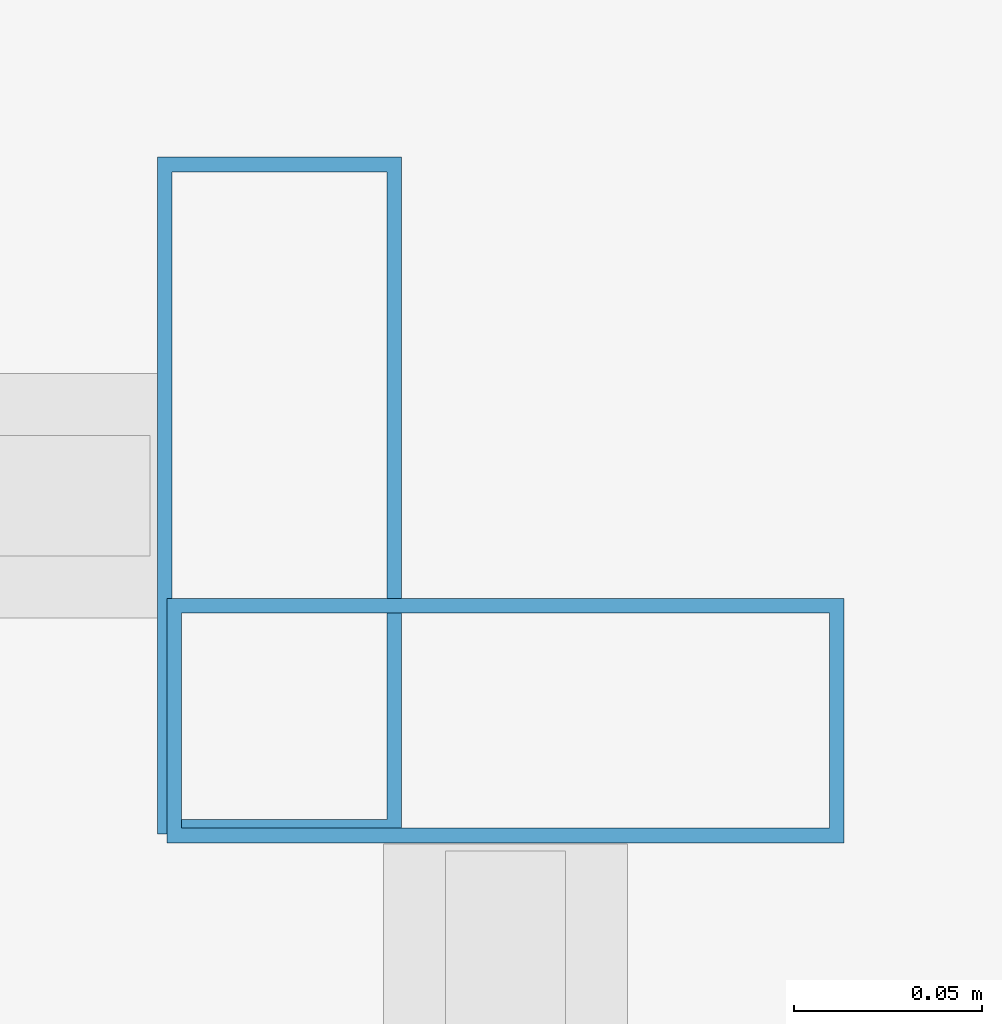
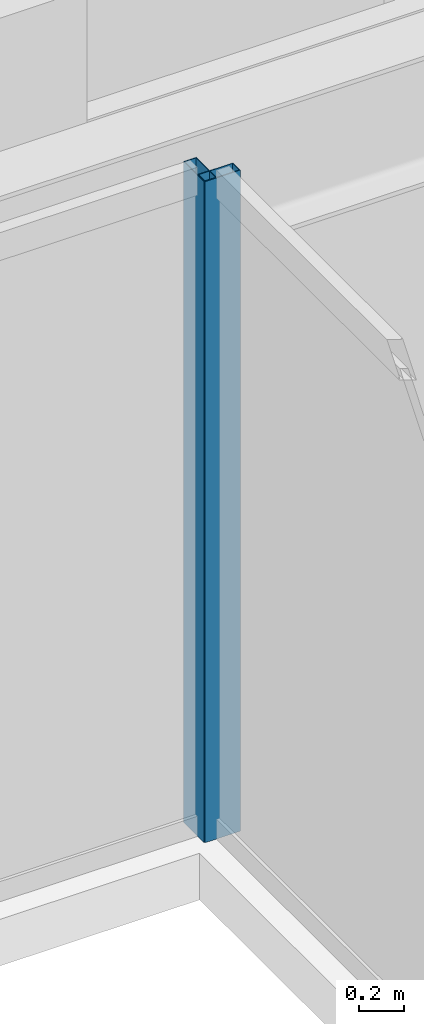
# One storey, part 14 of 38: 2 members, 2 elements without a shape of their own.
"""IFC4 building model written with IfcOpenShell, lengths in metres."""

from ifc_helpers import new_model, si_unit, direction, frame, origin, origin_2d, place, context, subcontext, project, spatial, hollow_rectangle, extrude, material, material_profile, profile_set, type_object, element, aggregate, save


model = new_model("IFC4")

# Units and contexts
model_context = context("Model", 3, precision=1e-05, world=origin(), true_north=direction((0.0, 1.0)))
body_context = subcontext(model_context, "Body", "Model", "MODEL_VIEW")
ifc_project = project(units=[si_unit("LENGTHUNIT", "METRE"), si_unit("AREAUNIT", "SQUARE_METRE"), si_unit("VOLUMEUNIT", "CUBIC_METRE"), si_unit("PLANEANGLEUNIT", "RADIAN"), si_unit("MASSUNIT", "GRAM", prefix="KILO")], contexts=[model_context])

# Site, building, storey
site_placement = place(None, origin())
site = spatial("IfcSite", under=ifc_project, at=site_placement, CompositionType="ELEMENT")
building_placement = place(site_placement, origin())
building = spatial("IfcBuilding", under=site, at=building_placement, Name="Saevonmaru Cultural Tower", CompositionType="ELEMENT")
storey_placement = place(building_placement, frame((0.0, 0.0, 133.39990234375)))
storey = spatial("IfcBuildingStorey", under=building, at=storey_placement, Name="L28", CompositionType="ELEMENT", Elevation=133.39990234375)

# Curtain wall, member
ifc_material = material(Name="Satin Bronze Anodised Aluminium", Category="aluminium")
curtain_wall_type = type_object("IfcCurtainWallType", Name="CW-ATR-GLZ", PredefinedType="NOTDEFINED", material=ifc_material)
curtain_wall_1_placement = place(storey_placement, origin())
curtain_wall_1 = element("IfcCurtainWall", 1, at=curtain_wall_1_placement, inside=storey, type_object=curtain_wall_type, Name="L28 Vertical Atrium Glazed Smoke Screen 2", PredefinedType="NOTDEFINED")
ifc_material_profile = material_profile(ifc_material, hollow_rectangle(XDim=0.06494140625, YDim=0.179931640625, WallThickness=0.00390625, at=origin_2d()), Name="ALU-MULL-180x65x4")
ifc_profile_set = profile_set([ifc_material_profile], Name="Satin Bronze Anodised Aluminium")
member_type = type_object("IfcMemberType", Name="ML-CW-INT-180x65", PredefinedType="MULLION", material=ifc_profile_set)
member_1_placement = place(storey_placement, frame((35.949951171875, 37.3701171875, 0.0), z_axis=(0.0, 0.0, 1.0), x_axis=(0.0, 1.0, 0.0)))
member_1 = element("IfcMember", 2, at=member_1_placement, type_object=member_type, Name="CW-ATR-L28-2 mullion 3", PredefinedType="MULLION", context=body_context, shape_type="SweptSolid", body=[
    extrude(hollow_rectangle(XDim=0.06494140625, YDim=0.179931640625, WallThickness=0.00390625, at=origin_2d()), origin(), (0.0, 0.0, 1.0), 3.550048828125),
])
aggregate(curtain_wall_1, [member_1])

curtain_wall_2_placement = place(storey_placement, origin())
curtain_wall_2 = element("IfcCurtainWall", 3, at=curtain_wall_2_placement, inside=storey, type_object=curtain_wall_type, Name="L28 Vertical Atrium Glazed Smoke Screen 3", PredefinedType="NOTDEFINED")
member_2_placement = place(storey_placement, frame((35.889892578125, 37.429931640625, 0.0), z_axis=(0.0, 0.0, 1.0), x_axis=(-1.0, 0.0, 0.0)))
member_2 = element("IfcMember", 4, at=member_2_placement, type_object=member_type, Name="CW-ATR-L28-3 mullion 1", PredefinedType="MULLION", context=body_context, shape_type="SweptSolid", body=[
    extrude(hollow_rectangle(XDim=0.06494140625, YDim=0.179931640625, WallThickness=0.00390625, at=origin_2d()), origin(), (0.0, 0.0, 1.0), 3.550048828125),
])
aggregate(curtain_wall_2, [member_2])

save(model, "model.ifc")
